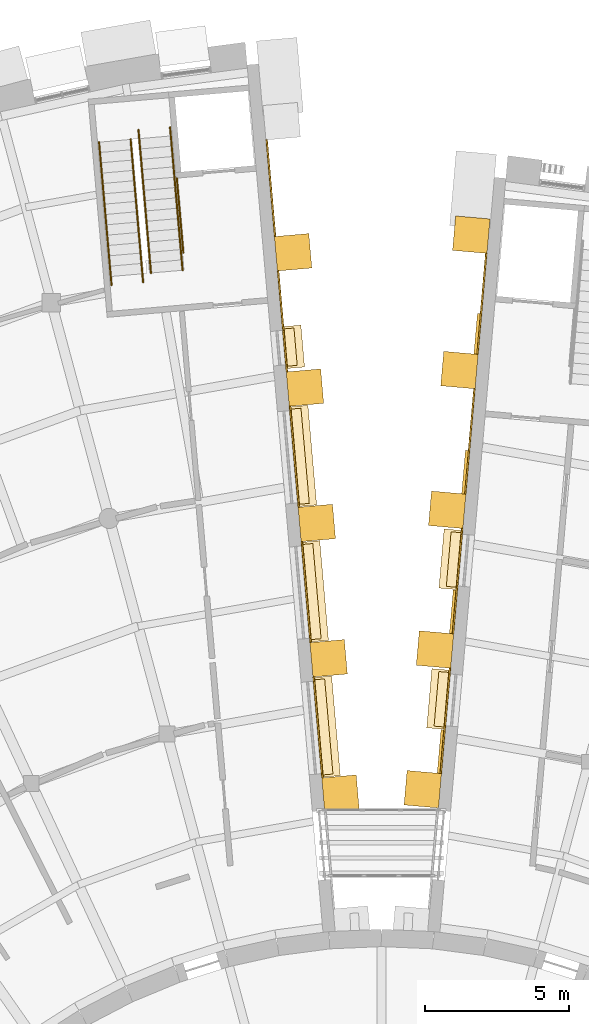
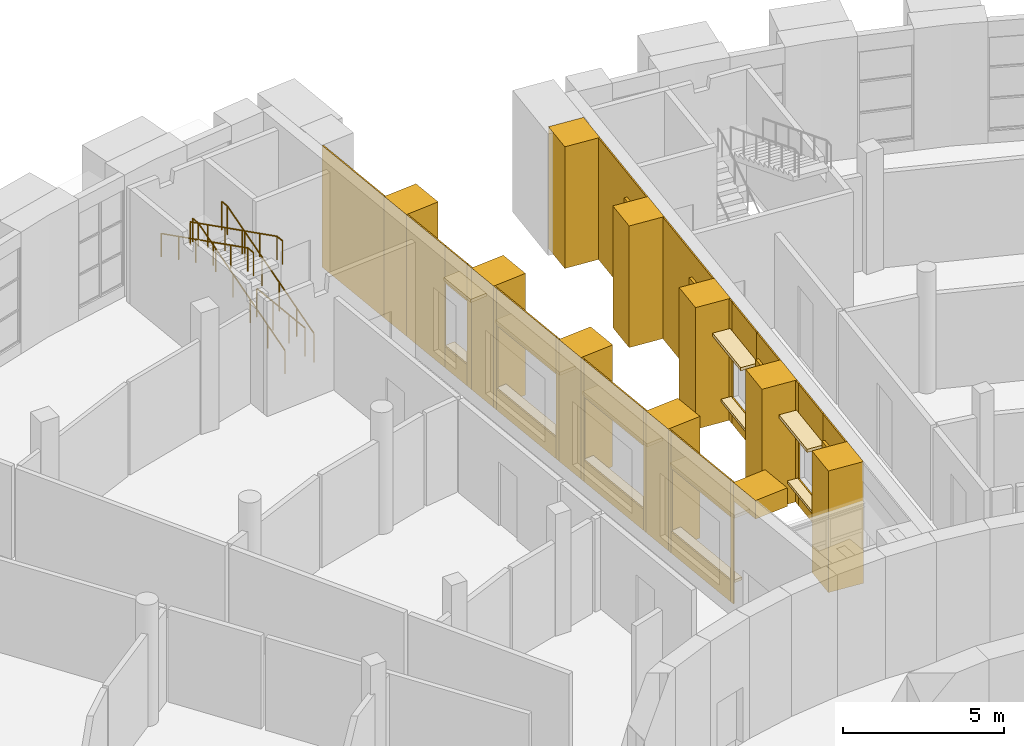
# One storey, part 62 of 66: 53 coverings, 5 railings.
"""IFC4 building model written with IfcOpenShell, lengths in metres."""

from ifc_helpers import new_model, si_unit, direction, frame, origin, origin_2d, place, context, subcontext, project, spatial, polyline, rectangle, circle, outline, extrude, material, layer, layer_set, type_object, element, save


model = new_model("IFC4")

# Units and contexts
model_context = context("Model", 3, precision=1e-05, world=origin(), true_north=direction((0.0, 1.0)))
body_context = subcontext(model_context, "Body", "Model", "MODEL_VIEW")
ifc_project = project(units=[si_unit("LENGTHUNIT", "METRE"), si_unit("AREAUNIT", "SQUARE_METRE"), si_unit("VOLUMEUNIT", "CUBIC_METRE"), si_unit("PLANEANGLEUNIT", "RADIAN"), si_unit("MASSUNIT", "GRAM", prefix="KILO")], contexts=[model_context])

# Site, building, storey
site_placement = place(None, origin())
site = spatial("IfcSite", under=ifc_project, at=site_placement, CompositionType="ELEMENT")
building_placement = place(site_placement, origin())
building = spatial("IfcBuilding", under=site, at=building_placement, Name="Volute Hill Aquarium", CompositionType="ELEMENT")
storey_placement = place(building_placement, frame((0.0, 0.0, 4.60009765625)))
storey = spatial("IfcBuildingStorey", under=building, at=storey_placement, Name="L02", CompositionType="ELEMENT", Elevation=4.60009765625)

# Coverings
ifc_material_1 = material(Name="Aluminium", Category="aluminium")
ifc_layer_1 = layer(ifc_material_1, 0.10009765625)
ifc_layer_set_1 = layer_set([ifc_layer_1], Name="End wall plant louvre panel 100")
covering_type_1 = type_object("IfcCoveringType", Name="End wall plant louvre panel 100", PredefinedType="CLADDING", material=ifc_layer_set_1)
for number, where, z_axis, x_axis, name in (
    (1, (2.05078125, 27.168701171875, 1.300048828125), (0.0, 0.0, 1.0), (0.087153486035, 0.996194895526, 0.0), "End wall plant louvre EWV S5B L02 2"),
    (2, (2.474853515625, 32.01611328125, 1.300048828125), (0.0, 0.0, 1.0), (0.087153486035, 0.996194895526, 0.0), "End wall plant louvre EWV S5B L02 3"),
    (3, (2.89892578125, 36.86376953125, 1.300048828125), (0.0, 0.0, 1.0), (0.087153486035, 0.996194895526, 0.0), "End wall plant louvre EWV S5B L02 4"),
):
    element("IfcCovering", number, at=place(storey_placement, frame(where, z_axis=z_axis, x_axis=x_axis)), inside=storey, type_object=covering_type_1, Name=name, PredefinedType="CLADDING", context=body_context, shape_type="SweptSolid", body=[
        extrude(rectangle(XDim=1.51611328125, YDim=0.10009765625, at=origin_2d()), origin(), (0.0, 0.0, 1.0), 2.39990234375),
    ])
covering_1_placement = place(storey_placement, frame((3.318359375, 41.658935546875, 1.300048828125), z_axis=(0.0, 0.0, 1.0), x_axis=(0.087153486035, 0.996194895526, 0.0)))
element("IfcCovering", 4, at=covering_1_placement, inside=storey, type_object=covering_type_1, Name="End wall plant louvre EWV S5B L02 5", PredefinedType="CLADDING", context=body_context, shape_type="SweptSolid", body=[
    extrude(rectangle(XDim=1.4111328125, YDim=0.10009765625, at=origin_2d()), origin(), (0.0, 0.0, 1.0), 2.39990234375),
])
ifc_material_2 = material(Name="Precast concrete C40/50", Category="concrete")
covering_type_2 = type_object("IfcCoveringType", Name="End wall precast fin C40/50 1200x1200", PredefinedType="CLADDING", material=ifc_material_2)
for number, where, z_axis, x_axis, name in (
    (5, (1.434326171875, 25.859375, -0.000244140625), (0.0, 0.0, 1.0), (0.087153486035, 0.996194895526, 0.0), "End wall fin EWF S5B L02 2"),
    (6, (1.8583984375, 30.706787109375, -0.000244140625), (0.0, 0.0, 1.0), (0.087153486035, 0.996194895526, 0.0), "End wall fin EWF S5B L02 3"),
    (7, (2.282470703125, 35.554443359375, -0.000244140625), (0.0, 0.0, 1.0), (0.087153486035, 0.996194895526, 0.0), "End wall fin EWF S5B L02 4"),
    (8, (2.70654296875, 40.40185546875, -0.000244140625), (0.0, 0.0, 1.0), (0.087153486035, 0.996194895526, 0.0), "End wall fin EWF S5B L02 5"),
    (9, (3.11767578125, 45.099853515625, -0.000244140625), (0.0, 0.0, 1.0), (0.087153486035, 0.996194895526, 0.0), "End wall fin EWF S5B L02 6"),
):
    element("IfcCovering", number, at=place(storey_placement, frame(where, z_axis=z_axis, x_axis=x_axis)), inside=storey, type_object=covering_type_2, Name=name, PredefinedType="CLADDING", context=body_context, shape_type="SweptSolid", body=[
        extrude(rectangle(XDim=1.199951171875, YDim=1.199951171875, at=origin_2d()), origin(), (0.0, 0.0, 1.0), 4.60009765625),
    ])
covering_2_placement = place(storey_placement, frame((-1.4208984375, 25.707275390625, 3.89990234375), z_axis=(0.0, 0.0, 1.0), x_axis=(-0.08715511842, 0.996194752713, 0.0)))
element("IfcCovering", 10, at=covering_2_placement, inside=storey, type_object=covering_type_2, Name="End wall fin EWF S6A L02 2", PredefinedType="CLADDING", context=body_context, shape_type="SweptSolid", body=[
    extrude(rectangle(XDim=1.199951171875, YDim=1.199951171875, at=origin_2d()), origin(), (0.0, 0.0, 1.0), 0.699951171875),
])
for number, where, z_axis, x_axis, name in (
    (11, (-1.831787109375, 30.402587890625, -0.000244140625), (0.0, 0.0, 1.0), (-0.08715511842, 0.996194752713, 0.0), "End wall fin EWF S6A L02 3"),
    (12, (-2.24267578125, 35.09814453125, -0.000244140625), (0.0, 0.0, 1.0), (-0.08715511842, 0.996194752713, 0.0), "End wall fin EWF S6A L02 4"),
    (13, (-2.6533203125, 39.79345703125, -0.000244140625), (0.0, 0.0, 1.0), (-0.08715511842, 0.996194752713, 0.0), "End wall fin EWF S6A L02 5"),
    (14, (-3.064208984375, 44.48876953125, -0.000244140625), (0.0, 0.0, 1.0), (-0.08715511842, 0.996194752713, 0.0), "End wall fin EWF S6A L02 6"),
):
    element("IfcCovering", number, at=place(storey_placement, frame(where, z_axis=z_axis, x_axis=x_axis)), inside=storey, type_object=covering_type_2, Name=name, PredefinedType="CLADDING", context=body_context, shape_type="SweptSolid", body=[
        extrude(rectangle(XDim=1.199951171875, YDim=1.199951171875, at=origin_2d()), origin(), (0.0, 0.0, 1.0), 4.60009765625),
    ])
ifc_material_3 = material(Name="Precast concrete C40/50", Category="concrete")
ifc_layer_2 = layer(ifc_material_3, 0.050048828125)
ifc_layer_set_2 = layer_set([ifc_layer_2], Name="End wall precast infill panel C40/50 50")
covering_type_3 = type_object("IfcCoveringType", Name="End wall precast infill panel C40/50 50", PredefinedType="CLADDING", material=ifc_layer_set_2)
covering_3_placement = place(storey_placement, frame((2.084228515625, 26.40478515625, 0.0), z_axis=(0.996192604141, -0.087179673403, 0.0), x_axis=(0.087179673403, 0.996192604141, 0.0)))
element("IfcCovering", 15, at=covering_3_placement, inside=storey, type_object=covering_type_3, Name="End wall panel EWP S5B L02 2", PredefinedType="CLADDING", context=body_context, shape_type="SweptSolid", body=[
    extrude(outline(polyline([(0.0, 0.0), (1.666256206354944, 0.0), (1.666256206354944, 4.599853515625), (0.0, 4.599853515625), (0.0, 0.0)])), origin(), (0.0, 0.0, -1.0), 0.050048828125),
])
covering_4_placement = place(storey_placement, frame((2.2294921875, 28.064697265625, 0.0), z_axis=(0.996190036199, -0.087209012019, 0.0), x_axis=(0.087209012019, 0.996190036199, 0.0)))
element("IfcCovering", 16, at=covering_4_placement, inside=storey, type_object=covering_type_3, Name="End wall panel EWP S5B L02 2", PredefinedType="CLADDING", context=body_context, shape_type="SweptSolid", body=[
    extrude(outline(polyline([(0.0, 0.0), (1.8000710963407553, 0.0), (1.8000710963407553, 1.0), (0.0, 1.0), (0.0, 0.0)])), origin(), (0.0, 0.0, -1.0), 0.050048828125),
])
covering_5_placement = place(storey_placement, frame((2.2294921875, 28.064697265625, 3.39990234375), z_axis=(0.996190036199, -0.087209012019, 0.0), x_axis=(0.087209012019, 0.996190036199, 0.0)))
element("IfcCovering", 17, at=covering_5_placement, inside=storey, type_object=covering_type_3, Name="End wall panel EWP S5B L02 2", PredefinedType="CLADDING", context=body_context, shape_type="SweptSolid", body=[
    extrude(outline(polyline([(0.0, 0.0), (1.8000710963407553, 0.0), (1.8000710963407553, 1.199951171875), (0.0, 1.199951171875), (0.0, 0.0)])), origin(), (0.0, 0.0, -1.0), 0.050048828125),
])
covering_6_placement = place(storey_placement, frame((2.386474609375, 29.85791015625, 0.0), z_axis=(0.996226815431, -0.086787857541, 0.0), x_axis=(0.086787857541, 0.996226815431, 0.0)))
element("IfcCovering", 18, at=covering_6_placement, inside=storey, type_object=covering_type_3, Name="End wall panel EWP S5B L02 2", PredefinedType="CLADDING", context=body_context, shape_type="SweptSolid", body=[
    extrude(outline(polyline([(0.0, 0.0), (0.19972822081580408, 0.0), (0.19972822081580408, 4.599853515625), (0.0, 4.599853515625), (0.0, 0.0)])), origin(), (0.0, 0.0, -1.0), 0.050048828125),
])
covering_7_placement = place(storey_placement, frame((2.50830078125, 31.252197265625, 0.0), z_axis=(0.996192604141, -0.087179673403, 0.0), x_axis=(0.087179673403, 0.996192604141, 0.0)))
element("IfcCovering", 19, at=covering_7_placement, inside=storey, type_object=covering_type_3, Name="End wall panel EWP S5B L02 3", PredefinedType="CLADDING", context=body_context, shape_type="SweptSolid", body=[
    extrude(outline(polyline([(0.0, 0.0), (1.666256206354944, 0.0), (1.666256206354944, 4.599853515625), (0.0, 4.599853515625), (0.0, 0.0)])), origin(), (0.0, 0.0, -1.0), 0.050048828125),
])
covering_8_placement = place(storey_placement, frame((2.653564453125, 32.912109375, 0.0), z_axis=(0.996190036199, -0.087209012019, 0.0), x_axis=(0.087209012019, 0.996190036199, 0.0)))
element("IfcCovering", 20, at=covering_8_placement, inside=storey, type_object=covering_type_3, Name="End wall panel EWP S5B L02 3", PredefinedType="CLADDING", context=body_context, shape_type="SweptSolid", body=[
    extrude(outline(polyline([(0.0, 0.0), (1.8000710963407553, 0.0), (1.8000710963407553, 1.0), (0.0, 1.0), (0.0, 0.0)])), origin(), (0.0, 0.0, -1.0), 0.050048828125),
])
covering_9_placement = place(storey_placement, frame((2.653564453125, 32.912109375, 3.39990234375), z_axis=(0.996190036199, -0.087209012019, 0.0), x_axis=(0.087209012019, 0.996190036199, 0.0)))
element("IfcCovering", 21, at=covering_9_placement, inside=storey, type_object=covering_type_3, Name="End wall panel EWP S5B L02 3", PredefinedType="CLADDING", context=body_context, shape_type="SweptSolid", body=[
    extrude(outline(polyline([(0.0, 0.0), (1.8000710963407553, 0.0), (1.8000710963407553, 1.199951171875), (0.0, 1.199951171875), (0.0, 0.0)])), origin(), (0.0, 0.0, -1.0), 0.050048828125),
])
covering_10_placement = place(storey_placement, frame((2.810546875, 34.705322265625, 0.0), z_axis=(0.996226815431, -0.086787857541, 0.0), x_axis=(0.086787857541, 0.996226815431, 0.0)))
element("IfcCovering", 22, at=covering_10_placement, inside=storey, type_object=covering_type_3, Name="End wall panel EWP S5B L02 3", PredefinedType="CLADDING", context=body_context, shape_type="SweptSolid", body=[
    extrude(outline(polyline([(0.0, 0.0), (0.19972822081580408, 0.0), (0.19972822081580408, 4.599853515625), (0.0, 4.599853515625), (0.0, 0.0)])), origin(), (0.0, 0.0, -1.0), 0.050048828125),
])
covering_11_placement = place(storey_placement, frame((2.932373046875, 36.099853515625, 0.0), z_axis=(0.996192705375, -0.087178516602, 0.0), x_axis=(0.087178516602, 0.996192705375, 0.0)))
element("IfcCovering", 23, at=covering_11_placement, inside=storey, type_object=covering_type_3, Name="End wall panel EWP S5B L02 4", PredefinedType="CLADDING", context=body_context, shape_type="SweptSolid", body=[
    extrude(outline(polyline([(0.0, 0.0), (3.6658122962003477, 0.0), (3.6658122962003477, 4.599853515625), (0.0, 4.599853515625), (0.0, 0.0)])), origin(), (0.0, 0.0, -1.0), 0.050048828125),
])
covering_12_placement = place(storey_placement, frame((3.3564453125, 40.947265625, 0.0), z_axis=(0.996189872762, -0.087210878943, 0.0), x_axis=(0.087210878943, 0.996189872762, 0.0)))
element("IfcCovering", 24, at=covering_12_placement, inside=storey, type_object=covering_type_3, Name="End wall panel EWP S5B L02 5", PredefinedType="CLADDING", context=body_context, shape_type="SweptSolid", body=[
    extrude(outline(polyline([(0.0, 0.0), (3.516082267693321, 0.0), (3.516082267693321, 4.599853515624999), (0.0, 4.599853515624999), (0.0, 0.0)])), origin(), (0.0, 0.0, -1.0), 0.050048828125),
])
covering_13_placement = place(storey_placement, frame((-2.021240234375, 26.257080078125, 0.0), z_axis=(0.99627106838, 0.086278376837, 0.0), x_axis=(-0.086278376837, 0.99627106838, 0.0)))
element("IfcCovering", 25, at=covering_13_placement, inside=storey, type_object=covering_type_3, Name="End wall panel EWP S6A L02 2", PredefinedType="CLADDING", context=body_context, shape_type="SweptSolid", body=[
    extrude(outline(polyline([(0.0, 0.0), (0.14997330269060552, 0.0), (0.14997330269060552, 4.599853515625), (0.0, 4.599853515625), (0.0, 0.0)])), origin(), (0.0, 0.0, -1.0), 0.050048828125),
])
covering_14_placement = place(storey_placement, frame((-2.0341796875, 26.406494140625, 0.0), z_axis=(0.996195696453, 0.087144330677, 0.0), x_axis=(-0.087144330677, 0.996195696453, 0.0)))
element("IfcCovering", 26, at=covering_14_placement, inside=storey, type_object=covering_type_3, Name="End wall panel EWP S6A L02 2", PredefinedType="CLADDING", context=body_context, shape_type="SweptSolid", body=[
    extrude(outline(polyline([(0.0, 0.0), (3.213396611126507, 0.0), (3.213396611126507, 0.7998046875), (0.0, 0.7998046875), (0.0, 0.0)])), origin(), (0.0, 0.0, -1.0), 0.050048828125),
])
covering_15_placement = place(storey_placement, frame((-2.0341796875, 26.406494140625, 3.199951171875), z_axis=(0.996195696453, 0.087144330677, 0.0), x_axis=(-0.087144330677, 0.996195696453, 0.0)))
element("IfcCovering", 27, at=covering_15_placement, inside=storey, type_object=covering_type_3, Name="End wall panel EWP S6A L02 2", PredefinedType="CLADDING", context=body_context, shape_type="SweptSolid", body=[
    extrude(outline(polyline([(0.0, 0.0), (3.213396611126507, 0.0), (3.213396611126507, 1.39990234375), (0.0, 1.39990234375), (0.0, 0.0)])), origin(), (0.0, 0.0, -1.0), 0.050048828125),
])
for number, where, z_axis, x_axis, name in (
    (28, (-2.314208984375, 29.607666015625, 0.0), (0.996129850025, 0.087893810296, 0.0), (-0.087893810296, 0.996129850025, 0.0), "End wall panel EWP S6A L02 2"),
    (29, (-2.431884765625, 30.952392578125, 0.0), (0.996129850025, 0.087893810296, 0.0), (-0.087893810296, 0.996129850025, 0.0), "End wall panel EWP S6A L02 3"),
):
    element("IfcCovering", number, at=place(storey_placement, frame(where, z_axis=z_axis, x_axis=x_axis)), inside=storey, type_object=covering_type_3, Name=name, PredefinedType="CLADDING", context=body_context, shape_type="SweptSolid", body=[
        extrude(outline(polyline([(0.0, 0.0), (0.14999456395789465, 0.0), (0.14999456395789465, 4.599853515625), (0.0, 4.599853515625), (0.0, 0.0)])), origin(), (0.0, 0.0, -1.0), 0.050048828125),
    ])
covering_16_placement = place(storey_placement, frame((-2.445068359375, 31.101806640625, 0.0), z_axis=(0.996195696453, 0.087144330677, 0.0), x_axis=(-0.087144330677, 0.996195696453, 0.0)))
element("IfcCovering", 30, at=covering_16_placement, inside=storey, type_object=covering_type_3, Name="End wall panel EWP S6A L02 3", PredefinedType="CLADDING", context=body_context, shape_type="SweptSolid", body=[
    extrude(outline(polyline([(0.0, 0.0), (3.213396611126507, 0.0), (3.213396611126507, 0.7998046875), (0.0, 0.7998046875), (0.0, 0.0)])), origin(), (0.0, 0.0, -1.0), 0.050048828125),
])
covering_17_placement = place(storey_placement, frame((-2.445068359375, 31.101806640625, 3.199951171875), z_axis=(0.996195696453, 0.087144330677, 0.0), x_axis=(-0.087144330677, 0.996195696453, 0.0)))
element("IfcCovering", 31, at=covering_17_placement, inside=storey, type_object=covering_type_3, Name="End wall panel EWP S6A L02 3", PredefinedType="CLADDING", context=body_context, shape_type="SweptSolid", body=[
    extrude(outline(polyline([(0.0, 0.0), (3.213396611126507, 0.0), (3.213396611126507, 1.39990234375), (0.0, 1.39990234375), (0.0, 0.0)])), origin(), (0.0, 0.0, -1.0), 0.050048828125),
])
for number, where, z_axis, x_axis, name in (
    (32, (-2.72509765625, 34.302978515625, 0.0), (0.996129850025, 0.087893810296, 0.0), (-0.087893810296, 0.996129850025, 0.0), "End wall panel EWP S6A L02 3"),
    (33, (-2.8427734375, 35.64794921875, 0.0), (0.996129850025, 0.087893810296, 0.0), (-0.087893810296, 0.996129850025, 0.0), "End wall panel EWP S6A L02 4"),
):
    element("IfcCovering", number, at=place(storey_placement, frame(where, z_axis=z_axis, x_axis=x_axis)), inside=storey, type_object=covering_type_3, Name=name, PredefinedType="CLADDING", context=body_context, shape_type="SweptSolid", body=[
        extrude(outline(polyline([(0.0, 0.0), (0.14999456395789465, 0.0), (0.14999456395789465, 4.599853515625), (0.0, 4.599853515625), (0.0, 0.0)])), origin(), (0.0, 0.0, -1.0), 0.050048828125),
    ])
covering_18_placement = place(storey_placement, frame((-2.85595703125, 35.79736328125, 0.0), z_axis=(0.996195696453, 0.087144330677, 0.0), x_axis=(-0.087144330677, 0.996195696453, 0.0)))
element("IfcCovering", 34, at=covering_18_placement, inside=storey, type_object=covering_type_3, Name="End wall panel EWP S6A L02 4", PredefinedType="CLADDING", context=body_context, shape_type="SweptSolid", body=[
    extrude(outline(polyline([(0.0, 0.0), (3.213396611126507, 0.0), (3.213396611126507, 0.7998046875), (0.0, 0.7998046875), (0.0, 0.0)])), origin(), (0.0, 0.0, -1.0), 0.050048828125),
])
covering_19_placement = place(storey_placement, frame((-2.85595703125, 35.79736328125, 3.199951171875), z_axis=(0.996195696453, 0.087144330677, 0.0), x_axis=(-0.087144330677, 0.996195696453, 0.0)))
element("IfcCovering", 35, at=covering_19_placement, inside=storey, type_object=covering_type_3, Name="End wall panel EWP S6A L02 4", PredefinedType="CLADDING", context=body_context, shape_type="SweptSolid", body=[
    extrude(outline(polyline([(0.0, 0.0), (3.213396611126507, 0.0), (3.213396611126507, 1.39990234375), (0.0, 1.39990234375), (0.0, 0.0)])), origin(), (0.0, 0.0, -1.0), 0.050048828125),
])
covering_20_placement = place(storey_placement, frame((-3.135986328125, 38.99853515625, 0.0), z_axis=(0.99627106838, 0.086278376837, 0.0), x_axis=(-0.086278376837, 0.99627106838, 0.0)))
element("IfcCovering", 36, at=covering_20_placement, inside=storey, type_object=covering_type_3, Name="End wall panel EWP S6A L02 4", PredefinedType="CLADDING", context=body_context, shape_type="SweptSolid", body=[
    extrude(outline(polyline([(0.0, 0.0), (0.14997330269060552, 0.0), (0.14997330269060552, 4.599853515625), (0.0, 4.599853515625), (0.0, 0.0)])), origin(), (0.0, 0.0, -1.0), 0.050048828125),
])
covering_21_placement = place(storey_placement, frame((-3.253662109375, 40.34326171875, 0.0), z_axis=(0.996263165088, 0.086369588909, 0.0), x_axis=(-0.086369588909, 0.996263165088, 0.0)))
element("IfcCovering", 37, at=covering_21_placement, inside=storey, type_object=covering_type_3, Name="End wall panel EWP S6A L02 5", PredefinedType="CLADDING", context=body_context, shape_type="SweptSolid", body=[
    extrude(outline(polyline([(0.0, 0.0), (0.24309590928069683, 0.0), (0.24309590928069683, 4.599853515625001), (0.0, 4.599853515625001), (0.0, 0.0)])), origin(), (0.0, 0.0, -1.0), 0.050048828125),
])
covering_22_placement = place(storey_placement, frame((-3.274658203125, 40.58544921875, 0.0), z_axis=(0.996184658983, 0.087270414275, 0.0), x_axis=(-0.087270414275, 0.996184658983, 0.0)))
element("IfcCovering", 38, at=covering_22_placement, inside=storey, type_object=covering_type_3, Name="End wall panel EWP S6A L02 5", PredefinedType="CLADDING", context=body_context, shape_type="SweptSolid", body=[
    extrude(outline(polyline([(0.0, 0.0), (1.200135567080504, 0.0), (1.200135567080504, 0.7998046875), (0.0, 0.7998046875), (0.0, 0.0)])), origin(), (0.0, 0.0, -1.0), 0.050048828125),
])
covering_23_placement = place(storey_placement, frame((-3.274658203125, 40.58544921875, 3.199951171875), z_axis=(0.996184658983, 0.087270414275, 0.0), x_axis=(-0.087270414275, 0.996184658983, 0.0)))
element("IfcCovering", 39, at=covering_23_placement, inside=storey, type_object=covering_type_3, Name="End wall panel EWP S6A L02 5", PredefinedType="CLADDING", context=body_context, shape_type="SweptSolid", body=[
    extrude(outline(polyline([(0.0, 0.0), (1.200135567080504, 0.0), (1.200135567080504, 1.39990234375), (0.0, 1.39990234375), (0.0, 0.0)])), origin(), (0.0, 0.0, -1.0), 0.050048828125),
])
covering_24_placement = place(storey_placement, frame((-3.37939453125, 41.781005859375, 0.0), z_axis=(0.996194869509, 0.087153783422, 0.0), x_axis=(-0.087153783422, 0.996194869509, 0.0)))
element("IfcCovering", 40, at=covering_24_placement, inside=storey, type_object=covering_type_3, Name="End wall panel EWP S6A L02 5", PredefinedType="CLADDING", context=body_context, shape_type="SweptSolid", body=[
    extrude(outline(polyline([(0.0, 0.0), (2.0701329855195056, 0.0), (2.0701329855195056, 4.599853515625), (0.0, 4.599853515625), (0.0, 0.0)])), origin(), (0.0, 0.0, -1.0), 0.050048828125),
])
covering_25_placement = place(storey_placement, frame((-3.664306640625, 45.03857421875, 0.0), z_axis=(0.996192771964, 0.087177755693, 0.0), x_axis=(-0.087177755693, 0.996192771964, 0.0)))
element("IfcCovering", 41, at=covering_25_placement, inside=storey, type_object=covering_type_3, Name="End wall panel EWP S6A L02 6", PredefinedType="CLADDING", context=body_context, shape_type="SweptSolid", body=[
    extrude(outline(polyline([(0.0, 0.0), (3.3633911345250085, 0.0), (3.3633911345250085, 4.599853515625001), (0.0, 4.599853515625001), (0.0, 0.0)])), origin(), (0.0, 0.0, -1.0), 0.050048828125),
])
ifc_material_4 = material(Name="Precast concrete C40/50", Category="concrete")
ifc_layer_3 = layer(ifc_material_4, 0.1201171875)
ifc_layer_set_3 = layer_set([ifc_layer_3], Name="End wall window head blade precast C40/50 600x120")
covering_type_4 = type_object("IfcCoveringType", Name="End wall window head blade precast C40/50 600x120", PredefinedType="CLADDING", material=ifc_layer_set_3)
for number, where, z_axis, x_axis, name in (
    (42, (1.959228515625, 28.99169921875, 3.39990234375), (0.0, 0.0, 1.0), (0.087153486035, 0.996194895526, 0.0), "End wall window head blade EWB S5B L02 2.1"),
    (43, (2.38330078125, 33.839111328125, 3.39990234375), (0.0, 0.0, 1.0), (0.087153486035, 0.996194895526, 0.0), "End wall window head blade EWB S5B L02 3.1"),
):
    element("IfcCovering", number, at=place(storey_placement, frame(where, z_axis=z_axis, x_axis=x_axis)), inside=storey, type_object=covering_type_4, Name=name, PredefinedType="CLADDING", context=body_context, shape_type="SweptSolid", body=[
        extrude(rectangle(XDim=2.06005859375, YDim=0.60009765625, at=origin_2d()), origin(), (0.0, 0.0, 1.0), 0.1201171875),
    ])
for number, where, z_axis, x_axis, name in (
    (44, (-1.87548828125, 28.033203125, 3.199951171875), (0.0, 0.0, 1.0), (-0.08715511842, 0.996194752713, 0.0), "End wall window head blade EWB S6A L02 2.1"),
    (45, (-2.2861328125, 32.728515625, 3.199951171875), (0.0, 0.0, 1.0), (-0.08715511842, 0.996194752713, 0.0), "End wall window head blade EWB S6A L02 3.1"),
    (46, (-2.697021484375, 37.424072265625, 3.199951171875), (0.0, 0.0, 1.0), (-0.08715511842, 0.996194752713, 0.0), "End wall window head blade EWB S6A L02 4.1"),
):
    element("IfcCovering", number, at=place(storey_placement, frame(where, z_axis=z_axis, x_axis=x_axis)), inside=storey, type_object=covering_type_4, Name=name, PredefinedType="CLADDING", context=body_context, shape_type="SweptSolid", body=[
        extrude(rectangle(XDim=3.473388671875, YDim=0.60009765625, at=origin_2d()), origin(), (0.0, 0.0, 1.0), 0.1201171875),
    ])
covering_26_placement = place(storey_placement, frame((-3.0283203125, 41.20947265625, 3.199951171875), z_axis=(0.0, 0.0, 1.0), x_axis=(-0.08715511842, 0.996194752713, 0.0)))
element("IfcCovering", 47, at=covering_26_placement, inside=storey, type_object=covering_type_4, Name="End wall window head blade EWB S6A L02 5.1", PredefinedType="CLADDING", context=body_context, shape_type="SweptSolid", body=[
    extrude(rectangle(XDim=1.4599609375, YDim=0.60009765625, at=origin_2d()), origin(), (0.0, 0.0, 1.0), 0.1201171875),
])
ifc_material_5 = material(Name="Precast concrete C40/50", Category="concrete")
ifc_layer_4 = layer(ifc_material_5, 0.10009765625)
ifc_layer_set_4 = layer_set([ifc_layer_4], Name="End wall window sill precast C40/50 350x100")
covering_type_5 = type_object("IfcCoveringType", Name="End wall window sill precast C40/50 350x100", PredefinedType="CLADDING", material=ifc_layer_set_4)
for number, where, z_axis, x_axis, name in (
    (48, (2.083740234375, 28.98095703125, 0.89990234375), (0.0, 0.0, 1.0), (0.087153486035, 0.996194895526, 0.0), "End wall window sill EWS S5B L02 2.1"),
    (49, (2.5078125, 33.828369140625, 0.89990234375), (0.0, 0.0, 1.0), (0.087153486035, 0.996194895526, 0.0), "End wall window sill EWS S5B L02 3.1"),
):
    element("IfcCovering", number, at=place(storey_placement, frame(where, z_axis=z_axis, x_axis=x_axis)), inside=storey, type_object=covering_type_5, Name=name, PredefinedType="CLADDING", context=body_context, shape_type="SweptSolid", body=[
        extrude(rectangle(XDim=1.89990234375, YDim=0.35009765625, at=origin_2d()), origin(), (0.0, 0.0, 1.0), 0.10009765625),
    ])
for number, where, z_axis, x_axis, name in (
    (50, (-2.0, 28.022216796875, 0.699951171875), (0.0, 0.0, 1.0), (-0.08715511842, 0.996194752713, 0.0), "End wall window sill EWS S6A L02 2.1"),
    (51, (-2.41064453125, 32.7177734375, 0.699951171875), (0.0, 0.0, 1.0), (-0.08715511842, 0.996194752713, 0.0), "End wall window sill EWS S6A L02 3.1"),
    (52, (-2.821533203125, 37.4130859375, 0.699951171875), (0.0, 0.0, 1.0), (-0.08715511842, 0.996194752713, 0.0), "End wall window sill EWS S6A L02 4.1"),
):
    element("IfcCovering", number, at=place(storey_placement, frame(where, z_axis=z_axis, x_axis=x_axis)), inside=storey, type_object=covering_type_5, Name=name, PredefinedType="CLADDING", context=body_context, shape_type="SweptSolid", body=[
        extrude(rectangle(XDim=3.313232421875, YDim=0.35009765625, at=origin_2d()), origin(), (0.0, 0.0, 1.0), 0.10009765625),
    ])
covering_27_placement = place(storey_placement, frame((-3.15283203125, 41.198486328125, 0.699951171875), z_axis=(0.0, 0.0, 1.0), x_axis=(-0.08715511842, 0.996194752713, 0.0)))
element("IfcCovering", 53, at=covering_27_placement, inside=storey, type_object=covering_type_5, Name="End wall window sill EWS S6A L02 5.1", PredefinedType="CLADDING", context=body_context, shape_type="SweptSolid", body=[
    extrude(rectangle(XDim=1.300048828125, YDim=0.35009765625, at=origin_2d()), origin(), (0.0, 0.0, 1.0), 0.10009765625),
])

# Railings
ifc_material_6 = material(Name="Stainless steel 1.4301", Category="steel")
railing_type_1 = type_object("IfcRailingType", Name="Guard 1100 stainless", PredefinedType="GUARDRAIL", material=ifc_material_6)
railing_1_placement = place(storey_placement, frame((-7.0986328125, 47.060302734375, 0.0)))
element("IfcRailing", 54, at=railing_1_placement, inside=storey, type_object=railing_type_1, Name="gd/S6-A/L02/edge", PredefinedType="GUARDRAIL", context=body_context, shape_type="SweptSolid", body=[
    extrude(circle(Radius=0.02392578125, at=origin_2d()), frame((0.0, 0.0, 1.076171875), z_axis=(0.087140158824, -0.996196061386, 0.0), x_axis=(0.996196061386, 0.087140158824, 0.0)), (0.0, 0.0, 1.0), 2.60009765625),
    extrude(circle(Radius=0.02099609375, at=origin_2d()), origin(), (0.0, 0.0, 1.0), 1.052001953125),
    extrude(circle(Radius=0.02099609375, at=origin_2d()), frame((0.075439453125, -0.86328125, 0.0)), (0.0, 0.0, 1.0), 1.052001953125),
    extrude(circle(Radius=0.02099609375, at=origin_2d()), frame((0.151123046875, -1.726806640625, 0.0)), (0.0, 0.0, 1.0), 1.052001953125),
    extrude(circle(Radius=0.02099609375, at=origin_2d()), frame((0.2265625, -2.590087890625, 0.0)), (0.0, 0.0, 1.0), 1.052001953125),
])
railing_2_placement = place(storey_placement, frame((-6.8994140625, 43.865478515625, 0.164306640625)))
element("IfcRailing", 55, at=railing_2_placement, inside=storey, type_object=railing_type_1, Name="gd/S6-A/L02/1", PredefinedType="GUARDRAIL", context=body_context, shape_type="SweptSolid", body=[
    extrude(circle(Radius=0.02392578125, at=origin_2d()), frame((0.0, 0.0, 1.076171875), z_axis=(-0.079302359607, 0.906305901507, 0.415115343796), x_axis=(-0.996193660874, -0.087167597388, 0.0)), (0.0, 0.0, 1.0), 5.144287109375),
    extrude(circle(Radius=0.02392578125, at=origin_2d()), frame((-0.407958984375, 4.662353515625, 3.21142578125), z_axis=(-0.087086179441, 0.996200781645, 0.0), x_axis=(-0.996200781645, -0.087086179441, 0.0)), (0.0, 0.0, 1.0), 0.300048828125),
    extrude(circle(Radius=0.02099609375, at=origin_2d()), origin(), (0.0, 0.0, 1.0), 1.052001953125),
    extrude(circle(Radius=0.02099609375, at=origin_2d()), frame((-0.08154296875, 0.932373046875, 0.427001953125)), (0.0, 0.0, 1.0), 1.052001953125),
    extrude(circle(Radius=0.02099609375, at=origin_2d()), frame((-0.1630859375, 1.864990234375, 0.854248046875)), (0.0, 0.0, 1.0), 1.052001953125),
    extrude(circle(Radius=0.02099609375, at=origin_2d()), frame((-0.244873046875, 2.79736328125, 1.28125)), (0.0, 0.0, 1.0), 1.052001953125),
    extrude(circle(Radius=0.02099609375, at=origin_2d()), frame((-0.326416015625, 3.72998046875, 1.70849609375)), (0.0, 0.0, 1.0), 1.052001953125),
    extrude(circle(Radius=0.02099609375, at=origin_2d()), frame((-0.407958984375, 4.662353515625, 2.135498046875)), (0.0, 0.0, 1.0), 1.052001953125),
    extrude(circle(Radius=0.02099609375, at=origin_2d()), frame((-0.43408203125, 4.961181640625, 2.135498046875)), (0.0, 0.0, 1.0), 1.052001953125),
])
ifc_material_7 = material(Name="Stainless steel 1.4301", Category="steel")
railing_type_2 = type_object("IfcRailingType", Name="Handrail 48 stainless", PredefinedType="HANDRAIL", material=ifc_material_7)
railing_3_placement = place(storey_placement, frame((-7.9951171875, 43.769775390625, 0.164306640625)))
element("IfcRailing", 56, at=railing_3_placement, inside=storey, type_object=railing_type_2, Name="hr/S6-A/L02/2", PredefinedType="HANDRAIL", context=body_context, shape_type="SweptSolid", body=[
    extrude(circle(Radius=0.02392578125, at=origin_2d()), frame((0.0, 0.0, 0.8759765625), z_axis=(-0.07930577065, 0.9062974245, 0.415133199209), x_axis=(-0.996193264484, -0.087172127406, 0.0)), (0.0, 0.0, 1.0), 5.14404296875),
    extrude(circle(Radius=0.02392578125, at=origin_2d()), frame((-0.407958984375, 4.662109375, 3.01123046875), z_axis=(-0.087086179441, 0.996200781645, 0.0), x_axis=(-0.996200781645, -0.087086179441, 0.0)), (0.0, 0.0, 1.0), 0.300048828125),
    extrude(circle(Radius=0.02099609375, at=origin_2d()), origin(), (0.0, 0.0, 1.0), 0.851806640625),
    extrude(circle(Radius=0.02099609375, at=origin_2d()), frame((-0.08154296875, 0.932373046875, 0.427001953125)), (0.0, 0.0, 1.0), 0.851806640625),
    extrude(circle(Radius=0.02099609375, at=origin_2d()), frame((-0.1630859375, 1.86474609375, 0.854248046875)), (0.0, 0.0, 1.0), 0.851806640625),
    extrude(circle(Radius=0.02099609375, at=origin_2d()), frame((-0.244873046875, 2.79736328125, 1.28125)), (0.0, 0.0, 1.0), 0.851806640625),
    extrude(circle(Radius=0.02099609375, at=origin_2d()), frame((-0.326416015625, 3.729736328125, 1.70849609375)), (0.0, 0.0, 1.0), 0.851806640625),
    extrude(circle(Radius=0.02099609375, at=origin_2d()), frame((-0.407958984375, 4.662109375, 2.135498046875)), (0.0, 0.0, 1.0), 0.851806640625),
    extrude(circle(Radius=0.02099609375, at=origin_2d()), frame((-0.43408203125, 4.9609375, 2.135498046875)), (0.0, 0.0, 1.0), 0.851806640625),
])
railing_4_placement = place(storey_placement, frame((-8.701904296875, 48.40576171875, 2.464111328125)))
element("IfcRailing", 57, at=railing_4_placement, inside=storey, type_object=railing_type_2, Name="hr/S6-A/L02/3", PredefinedType="HANDRAIL", context=body_context, shape_type="SweptSolid", body=[
    extrude(circle(Radius=0.02392578125, at=origin_2d()), frame((0.0, 0.0, 0.8759765625), z_axis=(0.079257047186, -0.906282977881, 0.415174041187), x_axis=(0.996197793412, 0.087120355834, 0.0)), (0.0, 0.0, 1.0), 5.144287109375),
    extrude(circle(Radius=0.02392578125, at=origin_2d()), frame((0.40771484375, -4.662109375, 3.01171875), z_axis=(0.087822613866, -0.996136129499, 0.0), x_axis=(0.996136129499, 0.087822613866, 0.0)), (0.0, 0.0, 1.0), 0.30029296875),
    extrude(circle(Radius=0.02099609375, at=origin_2d()), origin(), (0.0, 0.0, 1.0), 0.851806640625),
    extrude(circle(Radius=0.02099609375, at=origin_2d()), frame((0.08154296875, -0.932373046875, 0.42724609375)), (0.0, 0.0, 1.0), 0.851806640625),
    extrude(circle(Radius=0.02099609375, at=origin_2d()), frame((0.1630859375, -1.86474609375, 0.854248046875)), (0.0, 0.0, 1.0), 0.851806640625),
    extrude(circle(Radius=0.02099609375, at=origin_2d()), frame((0.24462890625, -2.79736328125, 1.281494140625)), (0.0, 0.0, 1.0), 0.851806640625),
    extrude(circle(Radius=0.02099609375, at=origin_2d()), frame((0.326171875, -3.729736328125, 1.70849609375)), (0.0, 0.0, 1.0), 0.851806640625),
    extrude(circle(Radius=0.02099609375, at=origin_2d()), frame((0.40771484375, -4.662109375, 2.1357421875)), (0.0, 0.0, 1.0), 0.851806640625),
    extrude(circle(Radius=0.02099609375, at=origin_2d()), frame((0.43408203125, -4.961181640625, 2.1357421875)), (0.0, 0.0, 1.0), 0.851806640625),
])
railing_5_placement = place(storey_placement, frame((-9.7978515625, 48.309814453125, 2.464111328125)))
element("IfcRailing", 58, at=railing_5_placement, inside=storey, type_object=railing_type_2, Name="hr/S6-A/L02/4", PredefinedType="HANDRAIL", context=body_context, shape_type="SweptSolid", body=[
    extrude(circle(Radius=0.02392578125, at=origin_2d()), frame((0.0, 0.0, 0.8759765625), z_axis=(0.079304208105, -0.90627956791, 0.415172479057), x_axis=(0.996193264484, 0.087172127406, 0.0)), (0.0, 0.0, 1.0), 5.144287109375),
    extrude(circle(Radius=0.02392578125, at=origin_2d()), frame((0.407958984375, -4.662109375, 3.01171875), z_axis=(0.087086179441, -0.996200781645, 0.0), x_axis=(0.996200781645, 0.087086179441, 0.0)), (0.0, 0.0, 1.0), 0.300048828125),
    extrude(circle(Radius=0.02099609375, at=origin_2d()), origin(), (0.0, 0.0, 1.0), 0.851806640625),
    extrude(circle(Radius=0.02099609375, at=origin_2d()), frame((0.08154296875, -0.932373046875, 0.42724609375)), (0.0, 0.0, 1.0), 0.851806640625),
    extrude(circle(Radius=0.02099609375, at=origin_2d()), frame((0.1630859375, -1.86474609375, 0.854248046875)), (0.0, 0.0, 1.0), 0.851806640625),
    extrude(circle(Radius=0.02099609375, at=origin_2d()), frame((0.244873046875, -2.79736328125, 1.281494140625)), (0.0, 0.0, 1.0), 0.851806640625),
    extrude(circle(Radius=0.02099609375, at=origin_2d()), frame((0.326416015625, -3.729736328125, 1.70849609375)), (0.0, 0.0, 1.0), 0.851806640625),
    extrude(circle(Radius=0.02099609375, at=origin_2d()), frame((0.407958984375, -4.662109375, 2.1357421875)), (0.0, 0.0, 1.0), 0.851806640625),
    extrude(circle(Radius=0.02099609375, at=origin_2d()), frame((0.43408203125, -4.9609375, 2.1357421875)), (0.0, 0.0, 1.0), 0.851806640625),
])

save(model, "model.ifc")
